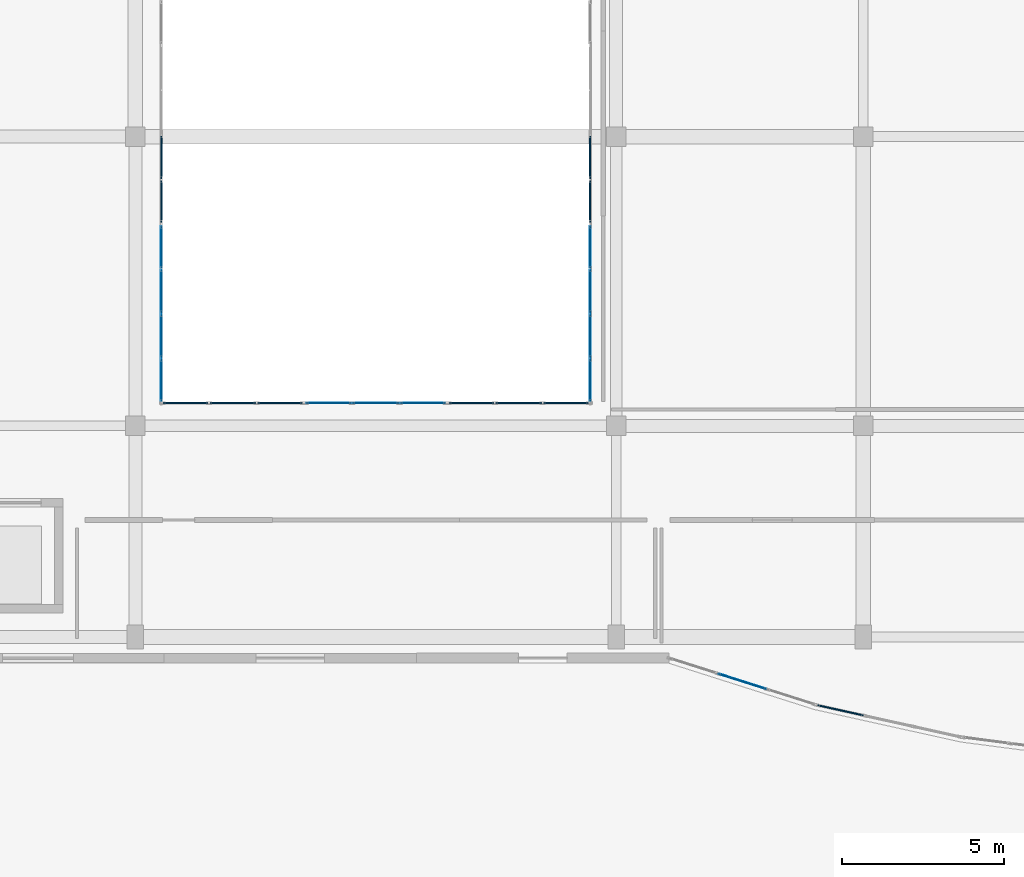
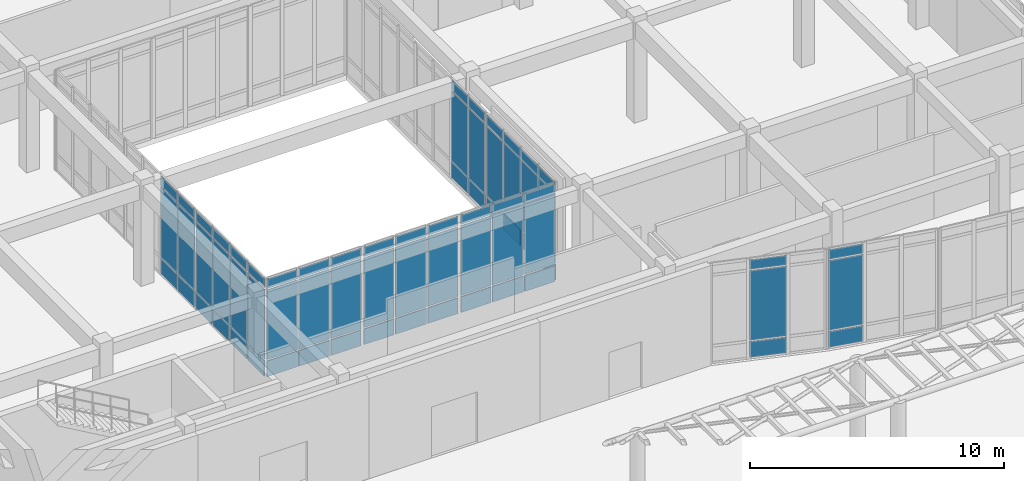
# One storey, part 83 of 121: 69 plates, 9 elements without a shape of their own.
"""IFC4 building model written with IfcOpenShell, lengths in metres."""

from ifc_helpers import new_model, si_unit, direction, frame, origin, origin_2d, place, context, subcontext, project, spatial, rectangle, extrude, material, layer, layer_set, type_object, element, aggregate, save


model = new_model("IFC4")

# Units and contexts
model_context = context("Model", 3, precision=1e-05, world=origin(), true_north=direction((0.0, 1.0)))
body_context = subcontext(model_context, "Body", "Model", "MODEL_VIEW")
ifc_project = project(units=[si_unit("LENGTHUNIT", "METRE"), si_unit("AREAUNIT", "SQUARE_METRE"), si_unit("VOLUMEUNIT", "CUBIC_METRE"), si_unit("PLANEANGLEUNIT", "RADIAN"), si_unit("MASSUNIT", "GRAM", prefix="KILO")], contexts=[model_context])

# Site, building, storey
site_placement = place(None, origin())
site = spatial("IfcSite", under=ifc_project, at=site_placement, CompositionType="ELEMENT")
building_placement = place(site_placement, origin())
building = spatial("IfcBuilding", under=site, at=building_placement, Name="Valcora Specialist Clinic", CompositionType="ELEMENT")
storey_placement = place(building_placement, origin())
storey = spatial("IfcBuildingStorey", under=building, at=storey_placement, Name="L00", CompositionType="ELEMENT", Elevation=0.0)

# Curtain wall, plates
ifc_material_1 = material(Name="Anodized Bronze Aluminium 6063-T6", Category="aluminium")
ifc_layer_1 = layer(ifc_material_1, 0.175048828125)
ifc_layer_set_1 = layer_set([ifc_layer_1], Name="Anodized Bronze Aluminium 6063-T6")
curtain_wall_type_1 = type_object("IfcCurtainWallType", Name="TY-CW-ARC51", PredefinedType="NOTDEFINED", material=ifc_layer_set_1)
curtain_wall_1_placement = place(storey_placement, origin())
curtain_wall_1 = element("IfcCurtainWall", 1, at=curtain_wall_1_placement, inside=storey, type_object=curtain_wall_type_1, Name="Curtain wall CW-L00-028", PredefinedType="NOTDEFINED")
ifc_material_2 = material(Name="Low-E Laminated Insulating Glass", Category="glass")
ifc_layer_2 = layer(ifc_material_2, 0.028076171875)
ifc_layer_set_2 = layer_set([ifc_layer_2], Name="Low-E Laminated Insulating Glass")
plate_type_1 = type_object("IfcPlateType", Name="TY-CWP-GLZ28", PredefinedType="CURTAIN_PANEL", material=ifc_layer_set_2)
plate_1_placement = place(storey_placement, frame((94.68115234375, 73.431396484375, 0.88232421875), z_axis=(0.0, 0.0, 1.0), x_axis=(-0.952916356972, 0.303233270958, 0.0)))
plate_1 = element("IfcPlate", 2, at=plate_1_placement, type_object=plate_type_1, Name="CW-ARC-51 panel 2.2", PredefinedType="CURTAIN_PANEL", context=body_context, shape_type="SweptSolid", body=[
    extrude(rectangle(XDim=1.5146484375, YDim=0.028076171875, at=origin_2d()), origin(), (0.0, 0.0, 1.0), 3.344970703125),
])
plate_2_placement = place(storey_placement, frame((94.68115234375, 73.431396484375, 4.29248046875), z_axis=(0.0, 0.0, 1.0), x_axis=(-0.952916356972, 0.303233270958, 0.0)))
plate_2 = element("IfcPlate", 3, at=plate_2_placement, type_object=plate_type_1, Name="CW-ARC-51 panel 2.3", PredefinedType="CURTAIN_PANEL", context=body_context, shape_type="SweptSolid", body=[
    extrude(rectangle(XDim=1.5146484375, YDim=0.028076171875, at=origin_2d()), origin(), (0.0, 0.0, 1.0), 0.452392578125),
])

ifc_layer_3 = layer(ifc_material_1, 0.175048828125)
ifc_layer_set_3 = layer_set([ifc_layer_3], Name="Anodized Bronze Aluminium 6063-T6")
curtain_wall_type_2 = type_object("IfcCurtainWallType", Name="TY-CW-CRT15", PredefinedType="NOTDEFINED", material=ifc_layer_set_3)
curtain_wall_2_placement = place(storey_placement, origin())
curtain_wall_2 = element("IfcCurtainWall", 4, at=curtain_wall_2_placement, inside=storey, type_object=curtain_wall_type_2, Name="Curtain wall CW-L00-030", PredefinedType="NOTDEFINED")
plate_3_placement = place(storey_placement, frame((81.949462890625, 82.0, 0.88232421875), z_axis=(0.0, 0.0, 1.0), x_axis=(1.0, 0.0, 0.0)))
plate_3 = element("IfcPlate", 5, at=plate_3_placement, type_object=plate_type_1, Name="CW-CRT-15 panel 1.2", PredefinedType="CURTAIN_PANEL", context=body_context, shape_type="SweptSolid", body=[
    extrude(rectangle(XDim=1.369140625, YDim=0.028076171875, at=origin_2d()), origin(), (0.0, 0.0, 1.0), 3.344970703125),
])
plate_4_placement = place(storey_placement, frame((81.949462890625, 82.0, 4.29248046875), z_axis=(0.0, 0.0, 1.0), x_axis=(1.0, 0.0, 0.0)))
plate_4 = element("IfcPlate", 6, at=plate_4_placement, type_object=plate_type_1, Name="CW-CRT-15 panel 1.3", PredefinedType="CURTAIN_PANEL", context=body_context, shape_type="SweptSolid", body=[
    extrude(rectangle(XDim=1.369140625, YDim=0.028076171875, at=origin_2d()), origin(), (0.0, 0.0, 1.0), 0.452392578125),
])
plate_5_placement = place(storey_placement, frame((83.39990234375, 82.0, 0.88232421875), z_axis=(0.0, 0.0, 1.0), x_axis=(1.0, 0.0, 0.0)))
plate_5 = element("IfcPlate", 7, at=plate_5_placement, type_object=plate_type_1, Name="CW-CRT-15 panel 2.2", PredefinedType="CURTAIN_PANEL", context=body_context, shape_type="SweptSolid", body=[
    extrude(rectangle(XDim=1.401611328125, YDim=0.028076171875, at=origin_2d()), origin(), (0.0, 0.0, 1.0), 3.344970703125),
])
plate_6_placement = place(storey_placement, frame((83.39990234375, 82.0, 4.29248046875), z_axis=(0.0, 0.0, 1.0), x_axis=(1.0, 0.0, 0.0)))
plate_6 = element("IfcPlate", 8, at=plate_6_placement, type_object=plate_type_1, Name="CW-CRT-15 panel 2.3", PredefinedType="CURTAIN_PANEL", context=body_context, shape_type="SweptSolid", body=[
    extrude(rectangle(XDim=1.401611328125, YDim=0.028076171875, at=origin_2d()), origin(), (0.0, 0.0, 1.0), 0.452392578125),
])
plate_7_placement = place(storey_placement, frame((84.850341796875, 82.0, 0.88232421875), z_axis=(0.0, 0.0, 1.0), x_axis=(1.0, 0.0, 0.0)))
plate_7 = element("IfcPlate", 9, at=plate_7_placement, type_object=plate_type_1, Name="CW-CRT-15 panel 3.2", PredefinedType="CURTAIN_PANEL", context=body_context, shape_type="SweptSolid", body=[
    extrude(rectangle(XDim=1.369140625, YDim=0.028076171875, at=origin_2d()), origin(), (0.0, 0.0, 1.0), 3.344970703125),
])
plate_8_placement = place(storey_placement, frame((84.850341796875, 82.0, 4.29248046875), z_axis=(0.0, 0.0, 1.0), x_axis=(1.0, 0.0, 0.0)))
plate_8 = element("IfcPlate", 10, at=plate_8_placement, type_object=plate_type_1, Name="CW-CRT-15 panel 3.3", PredefinedType="CURTAIN_PANEL", context=body_context, shape_type="SweptSolid", body=[
    extrude(rectangle(XDim=1.369140625, YDim=0.028076171875, at=origin_2d()), origin(), (0.0, 0.0, 1.0), 0.452392578125),
])

curtain_wall_3_placement = place(storey_placement, origin())
curtain_wall_3 = element("IfcCurtainWall", 11, at=curtain_wall_3_placement, inside=storey, type_object=curtain_wall_type_2, Name="Curtain wall CW-L00-032", PredefinedType="NOTDEFINED")
plate_9_placement = place(storey_placement, frame((90.0, 82.703857421875, 0.88232421875), z_axis=(0.0, 0.0, 1.0), x_axis=(0.0, 1.0, 0.0)))
plate_9 = element("IfcPlate", 12, at=plate_9_placement, type_object=plate_type_1, Name="CW-CRT-15 panel 1.2", PredefinedType="CURTAIN_PANEL", context=body_context, shape_type="SweptSolid", body=[
    extrude(rectangle(XDim=1.277587890625, YDim=0.028076171875, at=origin_2d()), origin(), (0.0, 0.0, 1.0), 3.344970703125),
])
plate_10_placement = place(storey_placement, frame((90.0, 82.703857421875, 4.29248046875), z_axis=(0.0, 0.0, 1.0), x_axis=(0.0, 1.0, 0.0)))
plate_10 = element("IfcPlate", 13, at=plate_10_placement, type_object=plate_type_1, Name="CW-CRT-15 panel 1.3", PredefinedType="CURTAIN_PANEL", context=body_context, shape_type="SweptSolid", body=[
    extrude(rectangle(XDim=1.277587890625, YDim=0.028076171875, at=origin_2d()), origin(), (0.0, 0.0, 1.0), 0.452392578125),
])
plate_11_placement = place(storey_placement, frame((90.0, 84.0625, 0.88232421875), z_axis=(0.0, 0.0, 1.0), x_axis=(0.0, 1.0, 0.0)))
plate_11 = element("IfcPlate", 14, at=plate_11_placement, type_object=plate_type_1, Name="CW-CRT-15 panel 2.2", PredefinedType="CURTAIN_PANEL", context=body_context, shape_type="SweptSolid", body=[
    extrude(rectangle(XDim=1.31005859375, YDim=0.028076171875, at=origin_2d()), origin(), (0.0, 0.0, 1.0), 3.344970703125),
])
plate_12_placement = place(storey_placement, frame((90.0, 84.0625, 4.29248046875), z_axis=(0.0, 0.0, 1.0), x_axis=(0.0, 1.0, 0.0)))
plate_12 = element("IfcPlate", 15, at=plate_12_placement, type_object=plate_type_1, Name="CW-CRT-15 panel 2.3", PredefinedType="CURTAIN_PANEL", context=body_context, shape_type="SweptSolid", body=[
    extrude(rectangle(XDim=1.31005859375, YDim=0.028076171875, at=origin_2d()), origin(), (0.0, 0.0, 1.0), 0.452392578125),
])
plate_13_placement = place(storey_placement, frame((90.0, 85.4375, 0.88232421875), z_axis=(0.0, 0.0, 1.0), x_axis=(0.0, 1.0, 0.0)))
plate_13 = element("IfcPlate", 16, at=plate_13_placement, type_object=plate_type_1, Name="CW-CRT-15 panel 3.2", PredefinedType="CURTAIN_PANEL", context=body_context, shape_type="SweptSolid", body=[
    extrude(rectangle(XDim=1.31005859375, YDim=0.028076171875, at=origin_2d()), origin(), (0.0, 0.0, 1.0), 3.344970703125),
])
plate_14_placement = place(storey_placement, frame((90.0, 85.4375, 4.29248046875), z_axis=(0.0, 0.0, 1.0), x_axis=(0.0, 1.0, 0.0)))
plate_14 = element("IfcPlate", 17, at=plate_14_placement, type_object=plate_type_1, Name="CW-CRT-15 panel 3.3", PredefinedType="CURTAIN_PANEL", context=body_context, shape_type="SweptSolid", body=[
    extrude(rectangle(XDim=1.31005859375, YDim=0.028076171875, at=origin_2d()), origin(), (0.0, 0.0, 1.0), 0.452392578125),
])
plate_15_placement = place(storey_placement, frame((90.0, 86.796142578125, 0.88232421875), z_axis=(0.0, 0.0, 1.0), x_axis=(0.0, 1.0, 0.0)))
plate_15 = element("IfcPlate", 18, at=plate_15_placement, type_object=plate_type_1, Name="CW-CRT-15 panel 4.2", PredefinedType="CURTAIN_PANEL", context=body_context, shape_type="SweptSolid", body=[
    extrude(rectangle(XDim=1.277587890625, YDim=0.028076171875, at=origin_2d()), origin(), (0.0, 0.0, 1.0), 3.344970703125),
])
plate_16_placement = place(storey_placement, frame((90.0, 86.796142578125, 4.29248046875), z_axis=(0.0, 0.0, 1.0), x_axis=(0.0, 1.0, 0.0)))
plate_16 = element("IfcPlate", 19, at=plate_16_placement, type_object=plate_type_1, Name="CW-CRT-15 panel 4.3", PredefinedType="CURTAIN_PANEL", context=body_context, shape_type="SweptSolid", body=[
    extrude(rectangle(XDim=1.277587890625, YDim=0.028076171875, at=origin_2d()), origin(), (0.0, 0.0, 1.0), 0.452392578125),
])

curtain_wall_4_placement = place(storey_placement, origin())
curtain_wall_4 = element("IfcCurtainWall", 20, at=curtain_wall_4_placement, inside=storey, type_object=curtain_wall_type_2, Name="Curtain wall CW-L00-040", PredefinedType="NOTDEFINED")
plate_17_placement = place(storey_placement, frame((76.800048828125, 86.796142578125, 0.88232421875), z_axis=(0.0, 0.0, 1.0), x_axis=(0.0, -1.0, 0.0)))
plate_17 = element("IfcPlate", 21, at=plate_17_placement, type_object=plate_type_1, Name="CW-CRT-15 panel 1.2", PredefinedType="CURTAIN_PANEL", context=body_context, shape_type="SweptSolid", body=[
    extrude(rectangle(XDim=1.277587890625, YDim=0.028076171875, at=origin_2d()), origin(), (0.0, 0.0, 1.0), 3.344970703125),
])
plate_18_placement = place(storey_placement, frame((76.800048828125, 86.796142578125, 4.29248046875), z_axis=(0.0, 0.0, 1.0), x_axis=(0.0, -1.0, 0.0)))
plate_18 = element("IfcPlate", 22, at=plate_18_placement, type_object=plate_type_1, Name="CW-CRT-15 panel 1.3", PredefinedType="CURTAIN_PANEL", context=body_context, shape_type="SweptSolid", body=[
    extrude(rectangle(XDim=1.277587890625, YDim=0.028076171875, at=origin_2d()), origin(), (0.0, 0.0, 1.0), 0.452392578125),
])
plate_19_placement = place(storey_placement, frame((76.800048828125, 85.4375, 0.88232421875), z_axis=(0.0, 0.0, 1.0), x_axis=(0.0, -1.0, 0.0)))
plate_19 = element("IfcPlate", 23, at=plate_19_placement, type_object=plate_type_1, Name="CW-CRT-15 panel 2.2", PredefinedType="CURTAIN_PANEL", context=body_context, shape_type="SweptSolid", body=[
    extrude(rectangle(XDim=1.31005859375, YDim=0.028076171875, at=origin_2d()), origin(), (0.0, 0.0, 1.0), 3.344970703125),
])
plate_20_placement = place(storey_placement, frame((76.800048828125, 85.4375, 4.29248046875), z_axis=(0.0, 0.0, 1.0), x_axis=(0.0, -1.0, 0.0)))
plate_20 = element("IfcPlate", 24, at=plate_20_placement, type_object=plate_type_1, Name="CW-CRT-15 panel 2.3", PredefinedType="CURTAIN_PANEL", context=body_context, shape_type="SweptSolid", body=[
    extrude(rectangle(XDim=1.31005859375, YDim=0.028076171875, at=origin_2d()), origin(), (0.0, 0.0, 1.0), 0.452392578125),
])
plate_21_placement = place(storey_placement, frame((76.800048828125, 84.0625, 0.88232421875), z_axis=(0.0, 0.0, 1.0), x_axis=(0.0, -1.0, 0.0)))
plate_21 = element("IfcPlate", 25, at=plate_21_placement, type_object=plate_type_1, Name="CW-CRT-15 panel 3.2", PredefinedType="CURTAIN_PANEL", context=body_context, shape_type="SweptSolid", body=[
    extrude(rectangle(XDim=1.31005859375, YDim=0.028076171875, at=origin_2d()), origin(), (0.0, 0.0, 1.0), 3.344970703125),
])
plate_22_placement = place(storey_placement, frame((76.800048828125, 84.0625, 4.29248046875), z_axis=(0.0, 0.0, 1.0), x_axis=(0.0, -1.0, 0.0)))
plate_22 = element("IfcPlate", 26, at=plate_22_placement, type_object=plate_type_1, Name="CW-CRT-15 panel 3.3", PredefinedType="CURTAIN_PANEL", context=body_context, shape_type="SweptSolid", body=[
    extrude(rectangle(XDim=1.31005859375, YDim=0.028076171875, at=origin_2d()), origin(), (0.0, 0.0, 1.0), 0.452392578125),
])
plate_23_placement = place(storey_placement, frame((76.800048828125, 82.703857421875, 0.88232421875), z_axis=(0.0, 0.0, 1.0), x_axis=(0.0, -1.0, 0.0)))
plate_23 = element("IfcPlate", 27, at=plate_23_placement, type_object=plate_type_1, Name="CW-CRT-15 panel 4.2", PredefinedType="CURTAIN_PANEL", context=body_context, shape_type="SweptSolid", body=[
    extrude(rectangle(XDim=1.277587890625, YDim=0.028076171875, at=origin_2d()), origin(), (0.0, 0.0, 1.0), 3.344970703125),
])
plate_24_placement = place(storey_placement, frame((76.800048828125, 82.703857421875, 4.29248046875), z_axis=(0.0, 0.0, 1.0), x_axis=(0.0, -1.0, 0.0)))
plate_24 = element("IfcPlate", 28, at=plate_24_placement, type_object=plate_type_1, Name="CW-CRT-15 panel 4.3", PredefinedType="CURTAIN_PANEL", context=body_context, shape_type="SweptSolid", body=[
    extrude(rectangle(XDim=1.277587890625, YDim=0.028076171875, at=origin_2d()), origin(), (0.0, 0.0, 1.0), 0.452392578125),
])

curtain_wall_5_placement = place(storey_placement, origin())
curtain_wall_5 = element("IfcCurtainWall", 29, at=curtain_wall_5_placement, inside=storey, type_object=curtain_wall_type_1, Name="Curtain wall CW-L00-027", PredefinedType="NOTDEFINED")
ifc_layer_4 = layer(ifc_material_2, 0.033935546875)
ifc_layer_set_4 = layer_set([ifc_layer_4], Name="Low-E Laminated Insulating Glass")
plate_type_2 = type_object("IfcPlateType", Name="TY-CWP-GLZ34", PredefinedType="CURTAIN_PANEL", material=ifc_layer_set_4)
plate_25_placement = place(storey_placement, frame((97.702880859375, 72.543701171875, 0.88232421875), z_axis=(0.0, 0.0, 1.0), x_axis=(-0.976278614432, 0.216518052372, 0.0)))
plate_25 = element("IfcPlate", 30, at=plate_25_placement, type_object=plate_type_2, Name="CW-ARC-51 panel 3.2", PredefinedType="CURTAIN_PANEL", context=body_context, shape_type="SweptSolid", body=[
    extrude(rectangle(XDim=1.4345703125, YDim=0.033935546875, at=origin_2d()), origin(), (0.0, 0.0, 1.0), 3.344970703125),
])
plate_26_placement = place(storey_placement, frame((97.702880859375, 72.543701171875, 4.29248046875), z_axis=(0.0, 0.0, 1.0), x_axis=(-0.976278614432, 0.216518052372, 0.0)))
plate_26 = element("IfcPlate", 31, at=plate_26_placement, type_object=plate_type_2, Name="CW-ARC-51 panel 3.3", PredefinedType="CURTAIN_PANEL", context=body_context, shape_type="SweptSolid", body=[
    extrude(rectangle(XDim=1.4345703125, YDim=0.033935546875, at=origin_2d()), origin(), (0.0, 0.0, 1.0), 0.452392578125),
])

curtain_wall_6_placement = place(storey_placement, origin())
curtain_wall_6 = element("IfcCurtainWall", 32, at=curtain_wall_6_placement, inside=storey, type_object=curtain_wall_type_2, Name="Curtain wall CW-L00-029", PredefinedType="NOTDEFINED")
plate_27_placement = place(storey_placement, frame((77.549560546875, 82.0, 0.88232421875), z_axis=(0.0, 0.0, 1.0), x_axis=(1.0, 0.0, 0.0)))
plate_27 = element("IfcPlate", 33, at=plate_27_placement, type_object=plate_type_2, Name="CW-CRT-15 panel 1.2", PredefinedType="CURTAIN_PANEL", context=body_context, shape_type="SweptSolid", body=[
    extrude(rectangle(XDim=1.369140625, YDim=0.033935546875, at=origin_2d()), origin(), (0.0, 0.0, 1.0), 3.344970703125),
])
plate_28_placement = place(storey_placement, frame((77.549560546875, 82.0, 4.29248046875), z_axis=(0.0, 0.0, 1.0), x_axis=(1.0, 0.0, 0.0)))
plate_28 = element("IfcPlate", 34, at=plate_28_placement, type_object=plate_type_2, Name="CW-CRT-15 panel 1.3", PredefinedType="CURTAIN_PANEL", context=body_context, shape_type="SweptSolid", body=[
    extrude(rectangle(XDim=1.369140625, YDim=0.033935546875, at=origin_2d()), origin(), (0.0, 0.0, 1.0), 0.452392578125),
])
plate_29_placement = place(storey_placement, frame((79.0, 82.0, 0.88232421875), z_axis=(0.0, 0.0, 1.0), x_axis=(1.0, 0.0, 0.0)))
plate_29 = element("IfcPlate", 35, at=plate_29_placement, type_object=plate_type_2, Name="CW-CRT-15 panel 2.2", PredefinedType="CURTAIN_PANEL", context=body_context, shape_type="SweptSolid", body=[
    extrude(rectangle(XDim=1.401611328125, YDim=0.033935546875, at=origin_2d()), origin(), (0.0, 0.0, 1.0), 3.344970703125),
])
plate_30_placement = place(storey_placement, frame((79.0, 82.0, 4.29248046875), z_axis=(0.0, 0.0, 1.0), x_axis=(1.0, 0.0, 0.0)))
plate_30 = element("IfcPlate", 36, at=plate_30_placement, type_object=plate_type_2, Name="CW-CRT-15 panel 2.3", PredefinedType="CURTAIN_PANEL", context=body_context, shape_type="SweptSolid", body=[
    extrude(rectangle(XDim=1.401611328125, YDim=0.033935546875, at=origin_2d()), origin(), (0.0, 0.0, 1.0), 0.452392578125),
])
plate_31_placement = place(storey_placement, frame((80.450439453125, 82.0, 0.88232421875), z_axis=(0.0, 0.0, 1.0), x_axis=(1.0, 0.0, 0.0)))
plate_31 = element("IfcPlate", 37, at=plate_31_placement, type_object=plate_type_2, Name="CW-CRT-15 panel 3.2", PredefinedType="CURTAIN_PANEL", context=body_context, shape_type="SweptSolid", body=[
    extrude(rectangle(XDim=1.369140625, YDim=0.033935546875, at=origin_2d()), origin(), (0.0, 0.0, 1.0), 3.344970703125),
])
plate_32_placement = place(storey_placement, frame((80.450439453125, 82.0, 4.29248046875), z_axis=(0.0, 0.0, 1.0), x_axis=(1.0, 0.0, 0.0)))
plate_32 = element("IfcPlate", 38, at=plate_32_placement, type_object=plate_type_2, Name="CW-CRT-15 panel 3.3", PredefinedType="CURTAIN_PANEL", context=body_context, shape_type="SweptSolid", body=[
    extrude(rectangle(XDim=1.369140625, YDim=0.033935546875, at=origin_2d()), origin(), (0.0, 0.0, 1.0), 0.452392578125),
])

curtain_wall_7_placement = place(storey_placement, origin())
curtain_wall_7 = element("IfcCurtainWall", 39, at=curtain_wall_7_placement, inside=storey, type_object=curtain_wall_type_2, Name="Curtain wall CW-L00-031", PredefinedType="NOTDEFINED")
plate_33_placement = place(storey_placement, frame((86.349609375, 82.0, 0.88232421875), z_axis=(0.0, 0.0, 1.0), x_axis=(1.0, 0.0, 0.0)))
plate_33 = element("IfcPlate", 40, at=plate_33_placement, type_object=plate_type_2, Name="CW-CRT-15 panel 1.2", PredefinedType="CURTAIN_PANEL", context=body_context, shape_type="SweptSolid", body=[
    extrude(rectangle(XDim=1.369140625, YDim=0.033935546875, at=origin_2d()), origin(), (0.0, 0.0, 1.0), 3.344970703125),
])
plate_34_placement = place(storey_placement, frame((86.349609375, 82.0, 4.29248046875), z_axis=(0.0, 0.0, 1.0), x_axis=(1.0, 0.0, 0.0)))
plate_34 = element("IfcPlate", 41, at=plate_34_placement, type_object=plate_type_2, Name="CW-CRT-15 panel 1.3", PredefinedType="CURTAIN_PANEL", context=body_context, shape_type="SweptSolid", body=[
    extrude(rectangle(XDim=1.369140625, YDim=0.033935546875, at=origin_2d()), origin(), (0.0, 0.0, 1.0), 0.452392578125),
])
plate_35_placement = place(storey_placement, frame((87.800048828125, 82.0, 0.88232421875), z_axis=(0.0, 0.0, 1.0), x_axis=(1.0, 0.0, 0.0)))
plate_35 = element("IfcPlate", 42, at=plate_35_placement, type_object=plate_type_2, Name="CW-CRT-15 panel 2.2", PredefinedType="CURTAIN_PANEL", context=body_context, shape_type="SweptSolid", body=[
    extrude(rectangle(XDim=1.401611328125, YDim=0.033935546875, at=origin_2d()), origin(), (0.0, 0.0, 1.0), 3.344970703125),
])
plate_36_placement = place(storey_placement, frame((87.800048828125, 82.0, 4.29248046875), z_axis=(0.0, 0.0, 1.0), x_axis=(1.0, 0.0, 0.0)))
plate_36 = element("IfcPlate", 43, at=plate_36_placement, type_object=plate_type_2, Name="CW-CRT-15 panel 2.3", PredefinedType="CURTAIN_PANEL", context=body_context, shape_type="SweptSolid", body=[
    extrude(rectangle(XDim=1.401611328125, YDim=0.033935546875, at=origin_2d()), origin(), (0.0, 0.0, 1.0), 0.452392578125),
])
plate_37_placement = place(storey_placement, frame((89.25048828125, 82.0, 0.88232421875), z_axis=(0.0, 0.0, 1.0), x_axis=(1.0, 0.0, 0.0)))
plate_37 = element("IfcPlate", 44, at=plate_37_placement, type_object=plate_type_2, Name="CW-CRT-15 panel 3.2", PredefinedType="CURTAIN_PANEL", context=body_context, shape_type="SweptSolid", body=[
    extrude(rectangle(XDim=1.369140625, YDim=0.033935546875, at=origin_2d()), origin(), (0.0, 0.0, 1.0), 3.344970703125),
])
plate_38_placement = place(storey_placement, frame((89.25048828125, 82.0, 4.29248046875), z_axis=(0.0, 0.0, 1.0), x_axis=(1.0, 0.0, 0.0)))
plate_38 = element("IfcPlate", 45, at=plate_38_placement, type_object=plate_type_2, Name="CW-CRT-15 panel 3.3", PredefinedType="CURTAIN_PANEL", context=body_context, shape_type="SweptSolid", body=[
    extrude(rectangle(XDim=1.369140625, YDim=0.033935546875, at=origin_2d()), origin(), (0.0, 0.0, 1.0), 0.452392578125),
])

curtain_wall_8_placement = place(storey_placement, origin())
curtain_wall_8 = element("IfcCurtainWall", 46, at=curtain_wall_8_placement, inside=storey, type_object=curtain_wall_type_2, Name="Curtain wall CW-L00-033", PredefinedType="NOTDEFINED")
plate_39_placement = place(storey_placement, frame((90.0, 88.203857421875, 0.88232421875), z_axis=(0.0, 0.0, 1.0), x_axis=(0.0, 1.0, 0.0)))
plate_39 = element("IfcPlate", 47, at=plate_39_placement, type_object=plate_type_2, Name="CW-CRT-15 panel 1.2", PredefinedType="CURTAIN_PANEL", context=body_context, shape_type="SweptSolid", body=[
    extrude(rectangle(XDim=1.277587890625, YDim=0.033935546875, at=origin_2d()), origin(), (0.0, 0.0, 1.0), 3.344970703125),
])
plate_40_placement = place(storey_placement, frame((90.0, 88.203857421875, 4.29248046875), z_axis=(0.0, 0.0, 1.0), x_axis=(0.0, 1.0, 0.0)))
plate_40 = element("IfcPlate", 48, at=plate_40_placement, type_object=plate_type_2, Name="CW-CRT-15 panel 1.3", PredefinedType="CURTAIN_PANEL", context=body_context, shape_type="SweptSolid", body=[
    extrude(rectangle(XDim=1.277587890625, YDim=0.033935546875, at=origin_2d()), origin(), (0.0, 0.0, 1.0), 0.452392578125),
])
plate_41_placement = place(storey_placement, frame((90.0, 89.5625, 0.88232421875), z_axis=(0.0, 0.0, 1.0), x_axis=(0.0, 1.0, 0.0)))
plate_41 = element("IfcPlate", 49, at=plate_41_placement, type_object=plate_type_2, Name="CW-CRT-15 panel 2.2", PredefinedType="CURTAIN_PANEL", context=body_context, shape_type="SweptSolid", body=[
    extrude(rectangle(XDim=1.31005859375, YDim=0.033935546875, at=origin_2d()), origin(), (0.0, 0.0, 1.0), 3.344970703125),
])
plate_42_placement = place(storey_placement, frame((90.0, 89.5625, 4.29248046875), z_axis=(0.0, 0.0, 1.0), x_axis=(0.0, 1.0, 0.0)))
plate_42 = element("IfcPlate", 50, at=plate_42_placement, type_object=plate_type_2, Name="CW-CRT-15 panel 2.3", PredefinedType="CURTAIN_PANEL", context=body_context, shape_type="SweptSolid", body=[
    extrude(rectangle(XDim=1.31005859375, YDim=0.033935546875, at=origin_2d()), origin(), (0.0, 0.0, 1.0), 0.452392578125),
])

curtain_wall_9_placement = place(storey_placement, origin())
curtain_wall_9 = element("IfcCurtainWall", 51, at=curtain_wall_9_placement, inside=storey, type_object=curtain_wall_type_2, Name="Curtain wall CW-L00-039", PredefinedType="NOTDEFINED")
plate_43_placement = place(storey_placement, frame((76.800048828125, 89.5625, 0.88232421875), z_axis=(0.0, 0.0, 1.0), x_axis=(0.0, -1.0, 0.0)))
plate_43 = element("IfcPlate", 52, at=plate_43_placement, type_object=plate_type_2, Name="CW-CRT-15 panel 3.2", PredefinedType="CURTAIN_PANEL", context=body_context, shape_type="SweptSolid", body=[
    extrude(rectangle(XDim=1.31005859375, YDim=0.033935546875, at=origin_2d()), origin(), (0.0, 0.0, 1.0), 3.344970703125),
])
plate_44_placement = place(storey_placement, frame((76.800048828125, 89.5625, 4.29248046875), z_axis=(0.0, 0.0, 1.0), x_axis=(0.0, -1.0, 0.0)))
plate_44 = element("IfcPlate", 53, at=plate_44_placement, type_object=plate_type_2, Name="CW-CRT-15 panel 3.3", PredefinedType="CURTAIN_PANEL", context=body_context, shape_type="SweptSolid", body=[
    extrude(rectangle(XDim=1.31005859375, YDim=0.033935546875, at=origin_2d()), origin(), (0.0, 0.0, 1.0), 0.452392578125),
])
plate_45_placement = place(storey_placement, frame((76.800048828125, 88.203857421875, 0.88232421875), z_axis=(0.0, 0.0, 1.0), x_axis=(0.0, -1.0, 0.0)))
plate_45 = element("IfcPlate", 54, at=plate_45_placement, type_object=plate_type_2, Name="CW-CRT-15 panel 4.2", PredefinedType="CURTAIN_PANEL", context=body_context, shape_type="SweptSolid", body=[
    extrude(rectangle(XDim=1.277587890625, YDim=0.033935546875, at=origin_2d()), origin(), (0.0, 0.0, 1.0), 3.344970703125),
])
plate_46_placement = place(storey_placement, frame((76.800048828125, 88.203857421875, 4.29248046875), z_axis=(0.0, 0.0, 1.0), x_axis=(0.0, -1.0, 0.0)))
plate_46 = element("IfcPlate", 55, at=plate_46_placement, type_object=plate_type_2, Name="CW-CRT-15 panel 4.3", PredefinedType="CURTAIN_PANEL", context=body_context, shape_type="SweptSolid", body=[
    extrude(rectangle(XDim=1.277587890625, YDim=0.033935546875, at=origin_2d()), origin(), (0.0, 0.0, 1.0), 0.452392578125),
])

# Plate
ifc_material_3 = material(Name="Insulated Spandrel Panel")
ifc_layer_5 = layer(ifc_material_3, 0.044921875)
ifc_layer_set_5 = layer_set([ifc_layer_5], Name="Insulated Spandrel Panel")
plate_type_3 = type_object("IfcPlateType", Name="TY-CWP-SPN45", PredefinedType="SHEET", material=ifc_layer_set_5)
plate_47_placement = place(storey_placement, frame((97.702880859375, 72.543701171875, 0.06494140625), z_axis=(0.0, 0.0, 1.0), x_axis=(-0.976278614432, 0.216518052372, 0.0)))
plate_47 = element("IfcPlate", 56, at=plate_47_placement, type_object=plate_type_3, Name="CW-ARC-51 panel 3.1", PredefinedType="SHEET", context=body_context, shape_type="SweptSolid", body=[
    extrude(rectangle(XDim=1.4345703125, YDim=0.044921875, at=origin_2d()), origin(), (0.0, 0.0, 1.0), 0.75244140625),
])

aggregate(curtain_wall_5, [plate_47, plate_25, plate_26])

plate_48_placement = place(storey_placement, frame((94.68115234375, 73.431396484375, 0.06494140625), z_axis=(0.0, 0.0, 1.0), x_axis=(-0.952916356972, 0.303233270958, 0.0)))
plate_48 = element("IfcPlate", 57, at=plate_48_placement, type_object=plate_type_3, Name="CW-ARC-51 panel 2.1", PredefinedType="SHEET", context=body_context, shape_type="SweptSolid", body=[
    extrude(rectangle(XDim=1.5146484375, YDim=0.044921875, at=origin_2d()), origin(), (0.0, 0.0, 1.0), 0.75244140625),
])

aggregate(curtain_wall_1, [plate_48, plate_1, plate_2])

plate_49_placement = place(storey_placement, frame((77.549560546875, 82.0, 0.06494140625), z_axis=(0.0, 0.0, 1.0), x_axis=(1.0, 0.0, 0.0)))
plate_49 = element("IfcPlate", 58, at=plate_49_placement, type_object=plate_type_3, Name="CW-CRT-15 panel 1.1", PredefinedType="SHEET", context=body_context, shape_type="SweptSolid", body=[
    extrude(rectangle(XDim=1.369140625, YDim=0.044921875, at=origin_2d()), origin(), (0.0, 0.0, 1.0), 0.75244140625),
])

plate_50_placement = place(storey_placement, frame((79.0, 82.0, 0.06494140625), z_axis=(0.0, 0.0, 1.0), x_axis=(1.0, 0.0, 0.0)))
plate_50 = element("IfcPlate", 59, at=plate_50_placement, type_object=plate_type_3, Name="CW-CRT-15 panel 2.1", PredefinedType="SHEET", context=body_context, shape_type="SweptSolid", body=[
    extrude(rectangle(XDim=1.401611328125, YDim=0.044921875, at=origin_2d()), origin(), (0.0, 0.0, 1.0), 0.75244140625),
])

plate_51_placement = place(storey_placement, frame((80.450439453125, 82.0, 0.06494140625), z_axis=(0.0, 0.0, 1.0), x_axis=(1.0, 0.0, 0.0)))
plate_51 = element("IfcPlate", 60, at=plate_51_placement, type_object=plate_type_3, Name="CW-CRT-15 panel 3.1", PredefinedType="SHEET", context=body_context, shape_type="SweptSolid", body=[
    extrude(rectangle(XDim=1.369140625, YDim=0.044921875, at=origin_2d()), origin(), (0.0, 0.0, 1.0), 0.75244140625),
])

aggregate(curtain_wall_6, [plate_49, plate_27, plate_28, plate_50, plate_29, plate_30, plate_51, plate_31, plate_32])

plate_52_placement = place(storey_placement, frame((81.949462890625, 82.0, 0.06494140625), z_axis=(0.0, 0.0, 1.0), x_axis=(1.0, 0.0, 0.0)))
plate_52 = element("IfcPlate", 61, at=plate_52_placement, type_object=plate_type_3, Name="CW-CRT-15 panel 1.1", PredefinedType="SHEET", context=body_context, shape_type="SweptSolid", body=[
    extrude(rectangle(XDim=1.369140625, YDim=0.044921875, at=origin_2d()), origin(), (0.0, 0.0, 1.0), 0.75244140625),
])

plate_53_placement = place(storey_placement, frame((83.39990234375, 82.0, 0.06494140625), z_axis=(0.0, 0.0, 1.0), x_axis=(1.0, 0.0, 0.0)))
plate_53 = element("IfcPlate", 62, at=plate_53_placement, type_object=plate_type_3, Name="CW-CRT-15 panel 2.1", PredefinedType="SHEET", context=body_context, shape_type="SweptSolid", body=[
    extrude(rectangle(XDim=1.401611328125, YDim=0.044921875, at=origin_2d()), origin(), (0.0, 0.0, 1.0), 0.75244140625),
])

plate_54_placement = place(storey_placement, frame((84.850341796875, 82.0, 0.06494140625), z_axis=(0.0, 0.0, 1.0), x_axis=(1.0, 0.0, 0.0)))
plate_54 = element("IfcPlate", 63, at=plate_54_placement, type_object=plate_type_3, Name="CW-CRT-15 panel 3.1", PredefinedType="SHEET", context=body_context, shape_type="SweptSolid", body=[
    extrude(rectangle(XDim=1.369140625, YDim=0.044921875, at=origin_2d()), origin(), (0.0, 0.0, 1.0), 0.75244140625),
])

aggregate(curtain_wall_2, [plate_52, plate_3, plate_4, plate_53, plate_5, plate_6, plate_54, plate_7, plate_8])

plate_55_placement = place(storey_placement, frame((86.349609375, 82.0, 0.06494140625), z_axis=(0.0, 0.0, 1.0), x_axis=(1.0, 0.0, 0.0)))
plate_55 = element("IfcPlate", 64, at=plate_55_placement, type_object=plate_type_3, Name="CW-CRT-15 panel 1.1", PredefinedType="SHEET", context=body_context, shape_type="SweptSolid", body=[
    extrude(rectangle(XDim=1.369140625, YDim=0.044921875, at=origin_2d()), origin(), (0.0, 0.0, 1.0), 0.75244140625),
])

plate_56_placement = place(storey_placement, frame((87.800048828125, 82.0, 0.06494140625), z_axis=(0.0, 0.0, 1.0), x_axis=(1.0, 0.0, 0.0)))
plate_56 = element("IfcPlate", 65, at=plate_56_placement, type_object=plate_type_3, Name="CW-CRT-15 panel 2.1", PredefinedType="SHEET", context=body_context, shape_type="SweptSolid", body=[
    extrude(rectangle(XDim=1.401611328125, YDim=0.044921875, at=origin_2d()), origin(), (0.0, 0.0, 1.0), 0.75244140625),
])

plate_57_placement = place(storey_placement, frame((89.25048828125, 82.0, 0.06494140625), z_axis=(0.0, 0.0, 1.0), x_axis=(1.0, 0.0, 0.0)))
plate_57 = element("IfcPlate", 66, at=plate_57_placement, type_object=plate_type_3, Name="CW-CRT-15 panel 3.1", PredefinedType="SHEET", context=body_context, shape_type="SweptSolid", body=[
    extrude(rectangle(XDim=1.369140625, YDim=0.044921875, at=origin_2d()), origin(), (0.0, 0.0, 1.0), 0.75244140625),
])

aggregate(curtain_wall_7, [plate_55, plate_33, plate_34, plate_56, plate_35, plate_36, plate_57, plate_37, plate_38])

plate_58_placement = place(storey_placement, frame((90.0, 82.703857421875, 0.06494140625), z_axis=(0.0, 0.0, 1.0), x_axis=(0.0, 1.0, 0.0)))
plate_58 = element("IfcPlate", 67, at=plate_58_placement, type_object=plate_type_3, Name="CW-CRT-15 panel 1.1", PredefinedType="SHEET", context=body_context, shape_type="SweptSolid", body=[
    extrude(rectangle(XDim=1.277587890625, YDim=0.044921875, at=origin_2d()), origin(), (0.0, 0.0, 1.0), 0.75244140625),
])

plate_59_placement = place(storey_placement, frame((90.0, 84.0625, 0.06494140625), z_axis=(0.0, 0.0, 1.0), x_axis=(0.0, 1.0, 0.0)))
plate_59 = element("IfcPlate", 68, at=plate_59_placement, type_object=plate_type_3, Name="CW-CRT-15 panel 2.1", PredefinedType="SHEET", context=body_context, shape_type="SweptSolid", body=[
    extrude(rectangle(XDim=1.31005859375, YDim=0.044921875, at=origin_2d()), origin(), (0.0, 0.0, 1.0), 0.75244140625),
])

plate_60_placement = place(storey_placement, frame((90.0, 85.4375, 0.06494140625), z_axis=(0.0, 0.0, 1.0), x_axis=(0.0, 1.0, 0.0)))
plate_60 = element("IfcPlate", 69, at=plate_60_placement, type_object=plate_type_3, Name="CW-CRT-15 panel 3.1", PredefinedType="SHEET", context=body_context, shape_type="SweptSolid", body=[
    extrude(rectangle(XDim=1.31005859375, YDim=0.044921875, at=origin_2d()), origin(), (0.0, 0.0, 1.0), 0.75244140625),
])

plate_61_placement = place(storey_placement, frame((90.0, 86.796142578125, 0.06494140625), z_axis=(0.0, 0.0, 1.0), x_axis=(0.0, 1.0, 0.0)))
plate_61 = element("IfcPlate", 70, at=plate_61_placement, type_object=plate_type_3, Name="CW-CRT-15 panel 4.1", PredefinedType="SHEET", context=body_context, shape_type="SweptSolid", body=[
    extrude(rectangle(XDim=1.277587890625, YDim=0.044921875, at=origin_2d()), origin(), (0.0, 0.0, 1.0), 0.75244140625),
])

aggregate(curtain_wall_3, [plate_58, plate_9, plate_10, plate_59, plate_11, plate_12, plate_60, plate_13, plate_14, plate_61, plate_15, plate_16])

plate_62_placement = place(storey_placement, frame((90.0, 88.203857421875, 0.06494140625), z_axis=(0.0, 0.0, 1.0), x_axis=(0.0, 1.0, 0.0)))
plate_62 = element("IfcPlate", 71, at=plate_62_placement, type_object=plate_type_3, Name="CW-CRT-15 panel 1.1", PredefinedType="SHEET", context=body_context, shape_type="SweptSolid", body=[
    extrude(rectangle(XDim=1.277587890625, YDim=0.044921875, at=origin_2d()), origin(), (0.0, 0.0, 1.0), 0.75244140625),
])

plate_63_placement = place(storey_placement, frame((90.0, 89.5625, 0.06494140625), z_axis=(0.0, 0.0, 1.0), x_axis=(0.0, 1.0, 0.0)))
plate_63 = element("IfcPlate", 72, at=plate_63_placement, type_object=plate_type_3, Name="CW-CRT-15 panel 2.1", PredefinedType="SHEET", context=body_context, shape_type="SweptSolid", body=[
    extrude(rectangle(XDim=1.31005859375, YDim=0.044921875, at=origin_2d()), origin(), (0.0, 0.0, 1.0), 0.75244140625),
])

aggregate(curtain_wall_8, [plate_62, plate_39, plate_40, plate_63, plate_41, plate_42])

plate_64_placement = place(storey_placement, frame((76.800048828125, 89.5625, 0.06494140625), z_axis=(0.0, 0.0, 1.0), x_axis=(0.0, -1.0, 0.0)))
plate_64 = element("IfcPlate", 73, at=plate_64_placement, type_object=plate_type_3, Name="CW-CRT-15 panel 3.1", PredefinedType="SHEET", context=body_context, shape_type="SweptSolid", body=[
    extrude(rectangle(XDim=1.31005859375, YDim=0.044921875, at=origin_2d()), origin(), (0.0, 0.0, 1.0), 0.75244140625),
])

plate_65_placement = place(storey_placement, frame((76.800048828125, 88.203857421875, 0.06494140625), z_axis=(0.0, 0.0, 1.0), x_axis=(0.0, -1.0, 0.0)))
plate_65 = element("IfcPlate", 74, at=plate_65_placement, type_object=plate_type_3, Name="CW-CRT-15 panel 4.1", PredefinedType="SHEET", context=body_context, shape_type="SweptSolid", body=[
    extrude(rectangle(XDim=1.277587890625, YDim=0.044921875, at=origin_2d()), origin(), (0.0, 0.0, 1.0), 0.75244140625),
])

aggregate(curtain_wall_9, [plate_64, plate_43, plate_44, plate_65, plate_45, plate_46])

plate_66_placement = place(storey_placement, frame((76.800048828125, 86.796142578125, 0.06494140625), z_axis=(0.0, 0.0, 1.0), x_axis=(0.0, -1.0, 0.0)))
plate_66 = element("IfcPlate", 75, at=plate_66_placement, type_object=plate_type_3, Name="CW-CRT-15 panel 1.1", PredefinedType="SHEET", context=body_context, shape_type="SweptSolid", body=[
    extrude(rectangle(XDim=1.277587890625, YDim=0.044921875, at=origin_2d()), origin(), (0.0, 0.0, 1.0), 0.75244140625),
])

plate_67_placement = place(storey_placement, frame((76.800048828125, 85.4375, 0.06494140625), z_axis=(0.0, 0.0, 1.0), x_axis=(0.0, -1.0, 0.0)))
plate_67 = element("IfcPlate", 76, at=plate_67_placement, type_object=plate_type_3, Name="CW-CRT-15 panel 2.1", PredefinedType="SHEET", context=body_context, shape_type="SweptSolid", body=[
    extrude(rectangle(XDim=1.31005859375, YDim=0.044921875, at=origin_2d()), origin(), (0.0, 0.0, 1.0), 0.75244140625),
])

plate_68_placement = place(storey_placement, frame((76.800048828125, 84.0625, 0.06494140625), z_axis=(0.0, 0.0, 1.0), x_axis=(0.0, -1.0, 0.0)))
plate_68 = element("IfcPlate", 77, at=plate_68_placement, type_object=plate_type_3, Name="CW-CRT-15 panel 3.1", PredefinedType="SHEET", context=body_context, shape_type="SweptSolid", body=[
    extrude(rectangle(XDim=1.31005859375, YDim=0.044921875, at=origin_2d()), origin(), (0.0, 0.0, 1.0), 0.75244140625),
])

plate_69_placement = place(storey_placement, frame((76.800048828125, 82.703857421875, 0.06494140625), z_axis=(0.0, 0.0, 1.0), x_axis=(0.0, -1.0, 0.0)))
plate_69 = element("IfcPlate", 78, at=plate_69_placement, type_object=plate_type_3, Name="CW-CRT-15 panel 4.1", PredefinedType="SHEET", context=body_context, shape_type="SweptSolid", body=[
    extrude(rectangle(XDim=1.277587890625, YDim=0.044921875, at=origin_2d()), origin(), (0.0, 0.0, 1.0), 0.75244140625),
])

aggregate(curtain_wall_4, [plate_66, plate_17, plate_18, plate_67, plate_19, plate_20, plate_68, plate_21, plate_22, plate_69, plate_23, plate_24])

save(model, "model.ifc")
